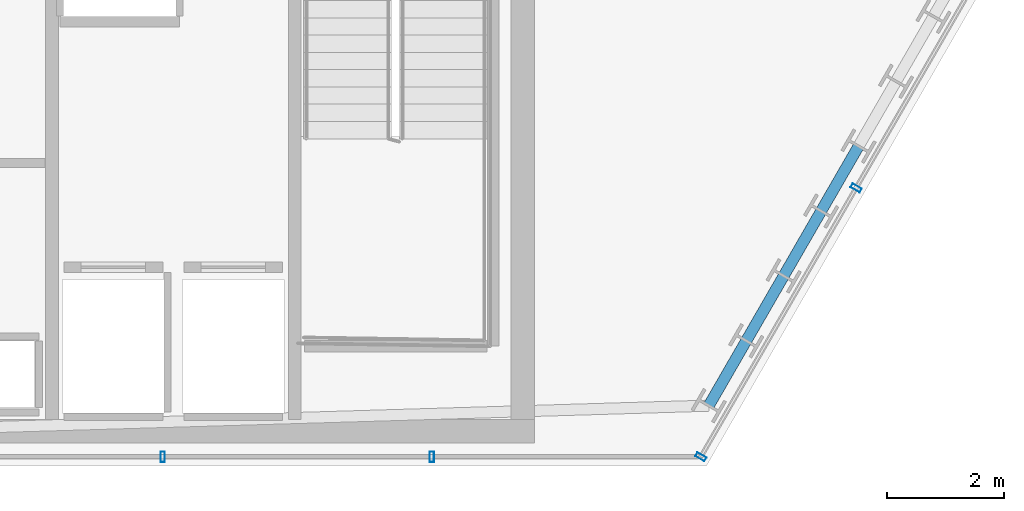
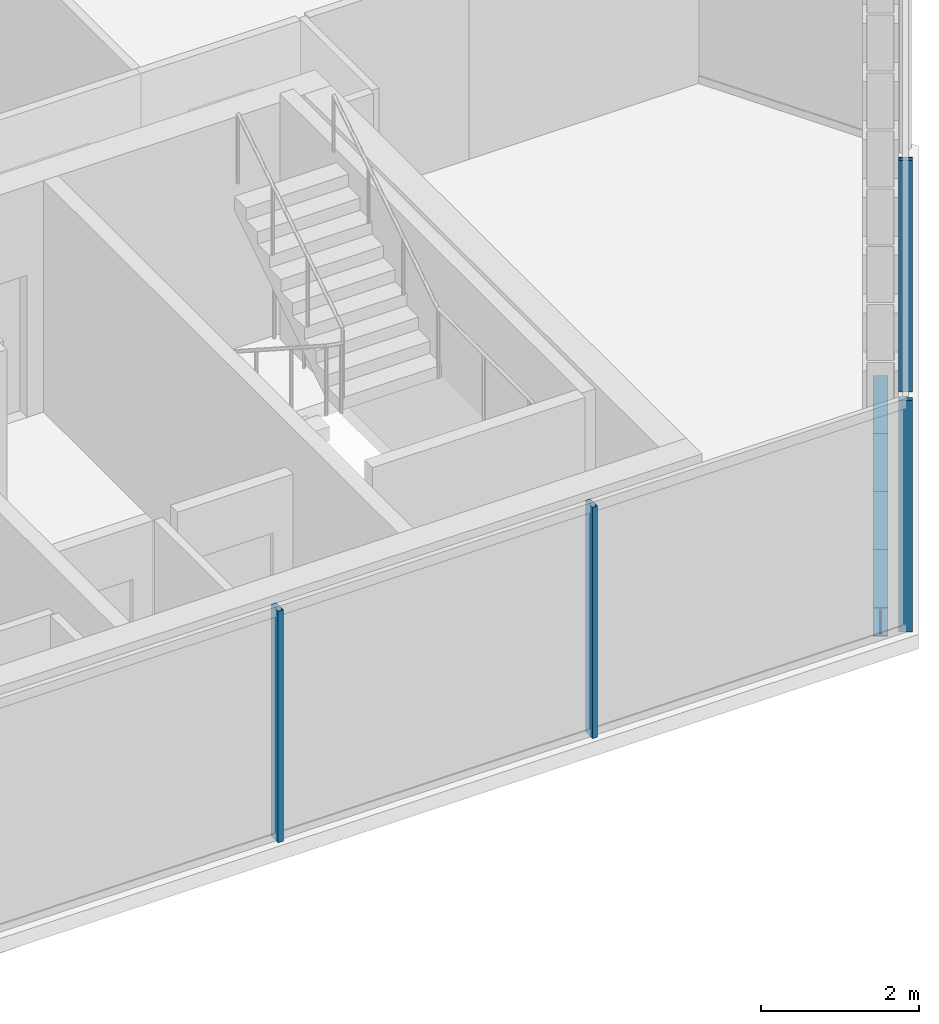
# One storey, part 15 of 33: 4 beams, 4 members, 2 elements without a shape of their own.
"""IFC4 building model written with IfcOpenShell, lengths in metres."""

from ifc_helpers import new_model, si_unit, direction, frame, origin, origin_2d, place, context, subcontext, project, spatial, hollow_rectangle, i_section, extrude, material, layer, layer_set, material_profile, profile_set, type_object, element, aggregate, save


model = new_model("IFC4")

# Units and contexts
model_context = context("Model", 3, precision=1e-05, world=origin(), true_north=direction((0.0, 1.0)))
body_context = subcontext(model_context, "Body", "Model", "MODEL_VIEW")
ifc_project = project(units=[si_unit("LENGTHUNIT", "METRE"), si_unit("AREAUNIT", "SQUARE_METRE"), si_unit("VOLUMEUNIT", "CUBIC_METRE"), si_unit("PLANEANGLEUNIT", "RADIAN"), si_unit("MASSUNIT", "GRAM", prefix="KILO")], contexts=[model_context])

# Site, building, storey
site_placement = place(None, origin())
site = spatial("IfcSite", under=ifc_project, at=site_placement, CompositionType="ELEMENT")
building_placement = place(site_placement, origin())
building = spatial("IfcBuilding", under=site, at=building_placement, Name="Ndaravel Arena Tower", CompositionType="ELEMENT")
storey_placement = place(building_placement, frame((0.0, 0.0, 161.199951171875)))
storey = spatial("IfcBuildingStorey", under=building, at=storey_placement, Name="L38", CompositionType="ELEMENT", Elevation=161.199951171875)

# Beams
ifc_material_1 = material(Name="Steel S355", Category="steel")
ifc_material_profile_1 = material_profile(ifc_material_1, i_section(OverallWidth=0.18994140625, OverallDepth=0.449951171875, WebThickness=0.009521484375, FlangeThickness=0.0146484375, FilletRadius=0.02099609375, at=origin_2d()), Name="IPE 450")
ifc_profile_set_1 = profile_set([ifc_material_profile_1], Name="Steel S355")
beam_type = type_object("IfcBeamType", Name="BM-SPAN-IPE450", PredefinedType="SPANDREL", material=ifc_profile_set_1)
beam_1_placement = place(storey_placement, frame((60.52587890625, 6.0341796875, -0.445068359375), z_axis=(0.499893060024, 0.866087136806, 0.0), x_axis=(-0.866087136806, 0.499893060024, 0.0)))
element("IfcBeam", 1, at=beam_1_placement, inside=storey, type_object=beam_type, Name="L38 Perimeter Spandrel Beam SP-02", PredefinedType="SPANDREL", context=body_context, shape_type="SweptSolid", body=[
    extrude(i_section(OverallWidth=0.18994140625, OverallDepth=0.449951171875, WebThickness=0.009521484375, FlangeThickness=0.0146484375, FilletRadius=0.02099609375, at=origin_2d()), origin(), (0.0, 0.0, 1.0), 1.280029296875),
])
beam_2_placement = place(storey_placement, frame((61.165771484375, 7.142822265625, -0.445068359375), z_axis=(0.500036104519, 0.866004557827, 0.0), x_axis=(-0.866004557827, 0.500036104519, 0.0)))
element("IfcBeam", 2, at=beam_2_placement, inside=storey, type_object=beam_type, Name="L38 Perimeter Spandrel Beam SP-03", PredefinedType="SPANDREL", context=body_context, shape_type="SweptSolid", body=[
    extrude(i_section(OverallWidth=0.18994140625, OverallDepth=0.449951171875, WebThickness=0.009521484375, FlangeThickness=0.0146484375, FilletRadius=0.02099609375, at=origin_2d()), origin(), (0.0, 0.0, 1.0), 1.2802734375),
])
beam_3_placement = place(storey_placement, frame((61.805908203125, 8.25146484375, -0.445068359375), z_axis=(0.499975646431, 0.866039463868, 0.0), x_axis=(-0.866039463868, 0.499975646431, 0.0)))
element("IfcBeam", 3, at=beam_3_placement, inside=storey, type_object=beam_type, Name="L38 Perimeter Spandrel Beam SP-04", PredefinedType="SPANDREL", context=body_context, shape_type="SweptSolid", body=[
    extrude(i_section(OverallWidth=0.18994140625, OverallDepth=0.449951171875, WebThickness=0.009521484375, FlangeThickness=0.0146484375, FilletRadius=0.02099609375, at=origin_2d()), origin(), (0.0, 0.0, 1.0), 1.27978515625),
])
beam_4_placement = place(storey_placement, frame((62.44580078125, 9.35986328125, -0.445068359375), z_axis=(0.500036104519, 0.866004557827, 0.0), x_axis=(-0.866004557827, 0.500036104519, 0.0)))
element("IfcBeam", 4, at=beam_4_placement, inside=storey, type_object=beam_type, Name="L38 Perimeter Spandrel Beam SP-05", PredefinedType="SPANDREL", context=body_context, shape_type="SweptSolid", body=[
    extrude(i_section(OverallWidth=0.18994140625, OverallDepth=0.449951171875, WebThickness=0.009521484375, FlangeThickness=0.0146484375, FilletRadius=0.02099609375, at=origin_2d()), origin(), (0.0, 0.0, 1.0), 1.2802734375),
])

# Curtain wall, members
ifc_material_2 = material(Name="Aluminium", Category="aluminium")
ifc_layer_1 = layer(ifc_material_2, 0.179931640625)
ifc_layer_set_1 = layer_set([ifc_layer_1], Name="Aluminium")
curtain_wall_type_1 = type_object("IfcCurtainWallType", Name="CW-SYS-03", PredefinedType="NOTDEFINED", material=ifc_layer_set_1)
curtain_wall_1_placement = place(storey_placement, origin())
curtain_wall_1 = element("IfcCurtainWall", 5, at=curtain_wall_1_placement, inside=storey, type_object=curtain_wall_type_1, Name="L38 Faceted Crystal Curtain Wall CW-L38-E01", PredefinedType="NOTDEFINED")
ifc_material_3 = material(Name="Aluminium", Category="aluminium")
ifc_material_profile_2 = material_profile(ifc_material_3, hollow_rectangle(XDim=0.074951171875, YDim=0.179931640625, WallThickness=0.00390625, at=origin_2d()), Name="CW MULLION 75x180x4")
ifc_profile_set_2 = profile_set([ifc_material_profile_2], Name="Aluminium")
member_type = type_object("IfcMemberType", Name="MEM-CW-MUL180", PredefinedType="MULLION", material=ifc_profile_set_2)
member_1_placement = place(storey_placement, frame((51.1953125, 5.159912109375, 0.0), z_axis=(0.0, 0.0, 1.0), x_axis=(1.0, 0.0, 0.0)))
member_1 = element("IfcMember", 6, at=member_1_placement, type_object=member_type, Name="CW-L38-E01 Mullion 06", PredefinedType="MULLION", context=body_context, shape_type="SweptSolid", body=[
    extrude(hollow_rectangle(XDim=0.074951171875, YDim=0.179931640625, WallThickness=0.00390625, at=origin_2d()), origin(), (0.0, 0.0, 1.0), 3.580078125),
])
member_2_placement = place(storey_placement, frame((55.79296875, 5.159912109375, 0.0), z_axis=(0.0, 0.0, 1.0), x_axis=(1.0, 0.0, 0.0)))
member_2 = element("IfcMember", 7, at=member_2_placement, type_object=member_type, Name="CW-L38-E01 Mullion 07", PredefinedType="MULLION", context=body_context, shape_type="SweptSolid", body=[
    extrude(hollow_rectangle(XDim=0.074951171875, YDim=0.179931640625, WallThickness=0.00390625, at=origin_2d()), origin(), (0.0, 0.0, 1.0), 3.580078125),
])
aggregate(curtain_wall_1, [member_1, member_2])

ifc_material_4 = material(Name="Aluminium", Category="aluminium")
ifc_layer_2 = layer(ifc_material_4, 0.179931640625)
ifc_layer_set_2 = layer_set([ifc_layer_2], Name="Aluminium")
curtain_wall_type_2 = type_object("IfcCurtainWallType", Name="CW-SYS-01", PredefinedType="NOTDEFINED", material=ifc_layer_set_2)
curtain_wall_2_placement = place(storey_placement, origin())
curtain_wall_2 = element("IfcCurtainWall", 8, at=curtain_wall_2_placement, inside=storey, type_object=curtain_wall_type_2, Name="L38 Faceted Crystal Curtain Wall CW-L38-E02", PredefinedType="NOTDEFINED")
member_3_placement = place(storey_placement, frame((60.390380859375, 5.159912109375, 0.0), z_axis=(0.0, 0.0, 1.0), x_axis=(0.5, 0.866025403784, 0.0)))
member_3 = element("IfcMember", 9, at=member_3_placement, type_object=member_type, Name="CW-L38-E02 Mullion 00", PredefinedType="MULLION", context=body_context, shape_type="SweptSolid", body=[
    extrude(hollow_rectangle(XDim=0.074951171875, YDim=0.179931640625, WallThickness=0.00390625, at=origin_2d()), origin(), (0.0, 0.0, 1.0), 3.580078125),
])
member_4_placement = place(storey_placement, frame((63.04296875, 9.754150390625, 0.0), z_axis=(0.0, 0.0, 1.0), x_axis=(0.5, 0.866025403784, 0.0)))
member_4 = element("IfcMember", 10, at=member_4_placement, type_object=member_type, Name="CW-L38-E02 Mullion 01", PredefinedType="MULLION", context=body_context, shape_type="SweptSolid", body=[
    extrude(hollow_rectangle(XDim=0.074951171875, YDim=0.179931640625, WallThickness=0.00390625, at=origin_2d()), origin(), (0.0, 0.0, 1.0), 3.580078125),
])
aggregate(curtain_wall_2, [member_3, member_4])

save(model, "model.ifc")
